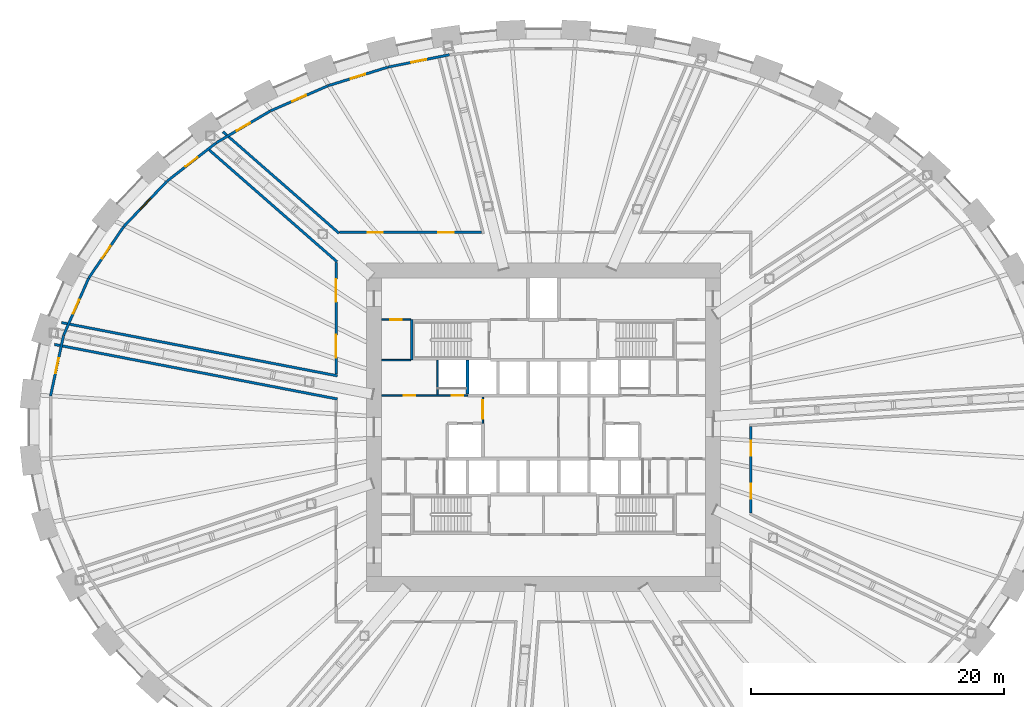
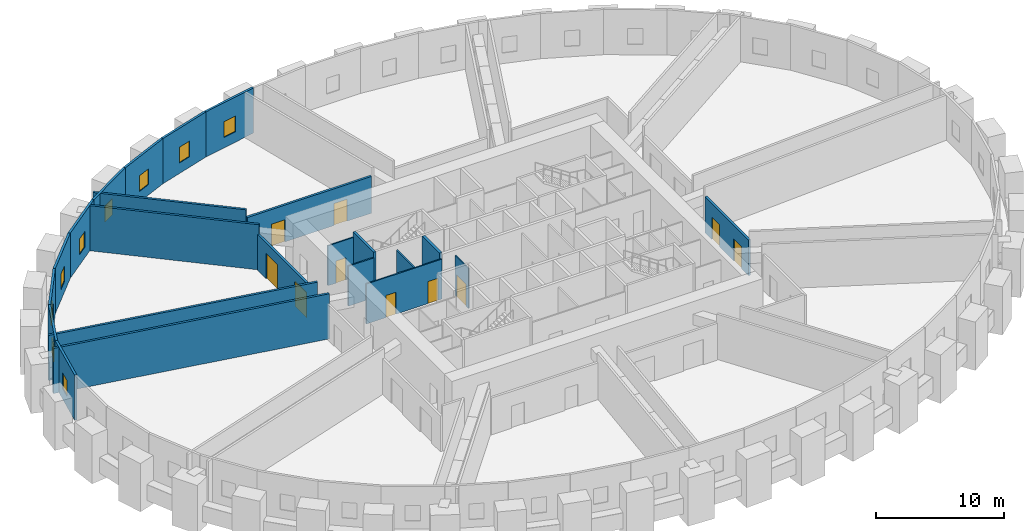
# One storey, part 10 of 14: 23 walls, 10 doors, 9 windows, 19 openings.
"""IFC4 building model written with IfcOpenShell, lengths in metres."""

from ifc_helpers import new_model, si_unit, direction, frame, frame_2d, origin, place, context, subcontext, project, spatial, rectangle, extrude, source, transform, mapped, material, layer, layer_set, type_object, element, fill, save


model = new_model("IFC4")

# Units and contexts
model_context = context("Model", 3, precision=1e-05, world=origin(), true_north=direction((0.0, 1.0)))
body_context = subcontext(model_context, "Body", "Model", "MODEL_VIEW")
ifc_project = project(units=[si_unit("LENGTHUNIT", "METRE"), si_unit("AREAUNIT", "SQUARE_METRE"), si_unit("VOLUMEUNIT", "CUBIC_METRE"), si_unit("PLANEANGLEUNIT", "RADIAN"), si_unit("MASSUNIT", "GRAM", prefix="KILO")], contexts=[model_context])

# Site, building, storey
site_placement = place(None, origin())
site = spatial("IfcSite", under=ifc_project, at=site_placement, CompositionType="ELEMENT")
building_placement = place(site_placement, origin())
building = spatial("IfcBuilding", under=site, at=building_placement, Name="Embergate Tower", CompositionType="ELEMENT")
storey_placement = place(building_placement, frame((0.0, 0.0, 101.0)))
storey = spatial("IfcBuildingStorey", under=building, at=storey_placement, Name="L21", CompositionType="ELEMENT", Elevation=101.0)

# Wall, opening, window
ifc_material_1 = material(Name="Terracotta louvre cladding on insulated backing", Category="masonry")
ifc_layer_1 = layer(ifc_material_1, 0.199951171875)
ifc_layer_set_1 = layer_set([ifc_layer_1], Name="Terracotta louvre cladding on insulated backing")
wall_type_1 = type_object("IfcWallType", Name="Terracotta louvre wall", PredefinedType="SOLIDWALL", material=ifc_layer_set_1)
shared_shape_1 = source(origin(), body_context, "Body", "SweptSolid", [
    extrude(rectangle(XDim=4.900634765625, YDim=0.199951171875, at=frame_2d((2.4501953125, 0.0))), origin(), (0.0, 0.0, 1.0), 4.300048828125),
])
wall_1_placement = place(storey_placement, frame((-38.97998046875, 2.46875, 0.0), z_axis=(0.0, 0.0, 1.0), x_axis=(0.210331939753, 0.977630029776, 0.0)))
wall_1 = element("IfcWall", 1, at=wall_1_placement, inside=storey, type_object=wall_type_1, Name="Louvre wall 21", PredefinedType="SOLIDWALL", context=body_context, shape_type="MappedRepresentation", body=[
    mapped(shared_shape_1, transform((0.0, 0.0, 0.0))),
])
shared_shape_2 = source(origin(), body_context, "Body", "SweptSolid", [
    extrude(rectangle(XDim=1.199951171875, YDim=1.5, at=frame_2d((0.60009765625, 0.75))), frame((0.0, 0.10986328125, 0.0), z_axis=(0.0, -1.0, 0.0), x_axis=(1.0, 0.0, 0.0)), (0.0, 0.0, 1.0), 0.219970703125),
])
opening_1_placement = place(wall_1_placement, frame((1.850341796875, 0.0, 1.0)))
opening_1 = element("IfcOpeningElement", 2, at=opening_1_placement, cuts=wall_1, Name="Opening RW", PredefinedType="OPENING", context=body_context, shape_type="MappedRepresentation", body=[
    mapped(shared_shape_2, transform((0.0, 0.0, 0.0))),
])
ifc_material_2 = material(Name="Aluminium, thermally broken, triple glazed", Category="aluminium")
window_type = type_object("IfcWindowType", Name="Refuge operable window", PartitioningType="SINGLE_PANEL", PredefinedType="WINDOW", material=ifc_material_2)
shared_shape_3 = source(origin(), body_context, "Body", "SweptSolid", [
    extrude(rectangle(XDim=1.199951171875, YDim=1.5, at=frame_2d((0.60009765625, 0.75))), frame((0.0, 0.030029296875, 0.0), z_axis=(0.0, -1.0, 0.0), x_axis=(1.0, 0.0, 0.0)), (0.0, 0.0, 1.0), 0.06005859375),
])
window_1_placement = place(opening_1_placement, origin())
window_1 = element("IfcWindow", 3, at=window_1_placement, inside=storey, type_object=window_type, Name="Refuge window 21", OverallHeight=1.5, OverallWidth=1.199951171875, PartitioningType="SINGLE_PANEL", PredefinedType="WINDOW", context=body_context, shape_type="MappedRepresentation", body=[
    mapped(shared_shape_3, transform((0.0, 0.0, 0.0))),
])
fill(opening_1, window_1)

shared_shape_4 = source(origin(), body_context, "Body", "SweptSolid", [
    extrude(rectangle(XDim=4.90771484375, YDim=0.199951171875, at=frame_2d((2.453857421875, 0.0))), origin(), (0.0, 0.0, 1.0), 4.300048828125),
])
wall_2_placement = place(storey_placement, frame((-37.94287109375, 7.27880859375, 0.0), z_axis=(0.0, 0.0, 1.0), x_axis=(0.401656371432, 0.915790455993, 0.0)))
wall_2 = element("IfcWall", 4, at=wall_2_placement, inside=storey, type_object=wall_type_1, Name="Louvre wall 20", PredefinedType="SOLIDWALL", context=body_context, shape_type="MappedRepresentation", body=[
    mapped(shared_shape_4, transform((0.0, 0.0, 0.0))),
])
opening_2_placement = place(wall_2_placement, frame((1.85400390625, 0.0, 1.0)))
opening_2 = element("IfcOpeningElement", 5, at=opening_2_placement, cuts=wall_2, Name="Opening RW", PredefinedType="OPENING", context=body_context, shape_type="MappedRepresentation", body=[
    mapped(shared_shape_2, transform((0.0, 0.0, 0.0))),
])
window_2_placement = place(opening_2_placement, origin())
window_2 = element("IfcWindow", 6, at=window_2_placement, inside=storey, type_object=window_type, Name="Refuge window 20", OverallHeight=1.5, OverallWidth=1.199951171875, PartitioningType="SINGLE_PANEL", PredefinedType="WINDOW", context=body_context, shape_type="MappedRepresentation", body=[
    mapped(shared_shape_3, transform((0.0, 0.0, 0.0))),
])
fill(opening_2, window_2)

shared_shape_5 = source(origin(), body_context, "Body", "SweptSolid", [
    extrude(rectangle(XDim=4.9169921875, YDim=0.199951171875, at=frame_2d((2.45849609375, 0.0))), origin(), (0.0, 0.0, 1.0), 4.300048828125),
])
wall_3_placement = place(storey_placement, frame((-35.962158203125, 11.790771484375, 0.0), z_axis=(0.0, 0.0, 1.0), x_axis=(0.562376568436, 0.826881246174, 0.0)))
wall_3 = element("IfcWall", 7, at=wall_3_placement, inside=storey, type_object=wall_type_1, Name="Louvre wall 19", PredefinedType="SOLIDWALL", context=body_context, shape_type="MappedRepresentation", body=[
    mapped(shared_shape_5, transform((0.0, 0.0, 0.0))),
])
opening_3_placement = place(wall_3_placement, frame((1.8583984375, 0.0, 1.0)))
opening_3 = element("IfcOpeningElement", 8, at=opening_3_placement, cuts=wall_3, Name="Opening RW", PredefinedType="OPENING", context=body_context, shape_type="MappedRepresentation", body=[
    mapped(shared_shape_2, transform((0.0, 0.0, 0.0))),
])
window_3_placement = place(opening_3_placement, origin())
window_3 = element("IfcWindow", 9, at=window_3_placement, inside=storey, type_object=window_type, Name="Refuge window 19", OverallHeight=1.5, OverallWidth=1.199951171875, PartitioningType="SINGLE_PANEL", PredefinedType="WINDOW", context=body_context, shape_type="MappedRepresentation", body=[
    mapped(shared_shape_3, transform((0.0, 0.0, 0.0))),
])
fill(opening_3, window_3)

shared_shape_6 = source(origin(), body_context, "Body", "SweptSolid", [
    extrude(rectangle(XDim=4.92578125, YDim=0.199951171875, at=frame_2d((2.462890625, 0.0))), origin(), (0.0, 0.0, 1.0), 4.300048828125),
])
wall_4_placement = place(storey_placement, frame((-33.1845703125, 15.8720703125, 0.0), z_axis=(0.0, 0.0, 1.0), x_axis=(0.690130273299, 0.723685156595, 0.0)))
wall_4 = element("IfcWall", 10, at=wall_4_placement, inside=storey, type_object=wall_type_1, Name="Louvre wall 18", PredefinedType="SOLIDWALL", context=body_context, shape_type="MappedRepresentation", body=[
    mapped(shared_shape_6, transform((0.0, 0.0, 0.0))),
])
opening_4_placement = place(wall_4_placement, frame((1.86279296875, 0.0, 1.0)))
opening_4 = element("IfcOpeningElement", 11, at=opening_4_placement, cuts=wall_4, Name="Opening RW", PredefinedType="OPENING", context=body_context, shape_type="MappedRepresentation", body=[
    mapped(shared_shape_2, transform((0.0, 0.0, 0.0))),
])
window_4_placement = place(opening_4_placement, origin())
window_4 = element("IfcWindow", 12, at=window_4_placement, inside=storey, type_object=window_type, Name="Refuge window 18", OverallHeight=1.5, OverallWidth=1.199951171875, PartitioningType="SINGLE_PANEL", PredefinedType="WINDOW", context=body_context, shape_type="MappedRepresentation", body=[
    mapped(shared_shape_3, transform((0.0, 0.0, 0.0))),
])
fill(opening_4, window_4)

shared_shape_7 = source(origin(), body_context, "Body", "SweptSolid", [
    extrude(rectangle(XDim=4.93359375, YDim=0.199951171875, at=frame_2d((2.466796875, 0.0))), origin(), (0.0, 0.0, 1.0), 4.300048828125),
])
wall_5_placement = place(storey_placement, frame((-29.7705078125, 19.4501953125, 0.0), z_axis=(0.0, 0.0, 1.0), x_axis=(0.788338613529, 0.61524160329, 0.0)))
wall_5 = element("IfcWall", 13, at=wall_5_placement, inside=storey, type_object=wall_type_1, Name="Louvre wall 17", PredefinedType="SOLIDWALL", context=body_context, shape_type="MappedRepresentation", body=[
    mapped(shared_shape_7, transform((0.0, 0.0, 0.0))),
])
opening_5_placement = place(wall_5_placement, frame((1.86669921875, 0.0, 1.0)))
opening_5 = element("IfcOpeningElement", 14, at=opening_5_placement, cuts=wall_5, Name="Opening RW", PredefinedType="OPENING", context=body_context, shape_type="MappedRepresentation", body=[
    mapped(shared_shape_2, transform((0.0, 0.0, 0.0))),
])
window_5_placement = place(opening_5_placement, origin())
window_5 = element("IfcWindow", 15, at=window_5_placement, inside=storey, type_object=window_type, Name="Refuge window 17", OverallHeight=1.5, OverallWidth=1.199951171875, PartitioningType="SINGLE_PANEL", PredefinedType="WINDOW", context=body_context, shape_type="MappedRepresentation", body=[
    mapped(shared_shape_3, transform((0.0, 0.0, 0.0))),
])
fill(opening_5, window_5)

shared_shape_8 = source(origin(), body_context, "Body", "SweptSolid", [
    extrude(rectangle(XDim=4.939697265625, YDim=0.199951171875, at=frame_2d((2.4697265625, 0.0))), origin(), (0.0, 0.0, 1.0), 4.300048828125),
])
wall_6_placement = place(storey_placement, frame((-25.86474609375, 22.496826171875, 0.0), z_axis=(0.0, 0.0, 1.0), x_axis=(0.862042190087, 0.506836524443, 0.0)))
wall_6 = element("IfcWall", 16, at=wall_6_placement, inside=storey, type_object=wall_type_1, Name="Louvre wall 16", PredefinedType="SOLIDWALL", context=body_context, shape_type="MappedRepresentation", body=[
    mapped(shared_shape_8, transform((0.0, 0.0, 0.0))),
])
opening_6_placement = place(wall_6_placement, frame((1.869873046875, 0.0, 1.0)))
opening_6 = element("IfcOpeningElement", 17, at=opening_6_placement, cuts=wall_6, Name="Opening RW", PredefinedType="OPENING", context=body_context, shape_type="MappedRepresentation", body=[
    mapped(shared_shape_2, transform((0.0, 0.0, 0.0))),
])
window_6_placement = place(opening_6_placement, origin())
window_6 = element("IfcWindow", 18, at=window_6_placement, inside=storey, type_object=window_type, Name="Refuge window 16", OverallHeight=1.5, OverallWidth=1.199951171875, PartitioningType="SINGLE_PANEL", PredefinedType="WINDOW", context=body_context, shape_type="MappedRepresentation", body=[
    mapped(shared_shape_3, transform((0.0, 0.0, 0.0))),
])
fill(opening_6, window_6)

shared_shape_9 = source(origin(), body_context, "Body", "SweptSolid", [
    extrude(rectangle(XDim=4.9443359375, YDim=0.199951171875, at=frame_2d((2.47216796875, 0.0))), origin(), (0.0, 0.0, 1.0), 4.300048828125),
])
wall_7_placement = place(storey_placement, frame((-21.588623046875, 25.009521484375, 0.0), z_axis=(0.0, 0.0, 1.0), x_axis=(0.916226451808, 0.400660815412, 0.0)))
wall_7 = element("IfcWall", 19, at=wall_7_placement, inside=storey, type_object=wall_type_1, Name="Louvre wall 15", PredefinedType="SOLIDWALL", context=body_context, shape_type="MappedRepresentation", body=[
    mapped(shared_shape_9, transform((0.0, 0.0, 0.0))),
])
opening_7_placement = place(wall_7_placement, frame((1.872314453125, 0.0, 1.0)))
opening_7 = element("IfcOpeningElement", 20, at=opening_7_placement, cuts=wall_7, Name="Opening RW", PredefinedType="OPENING", context=body_context, shape_type="MappedRepresentation", body=[
    mapped(shared_shape_2, transform((0.0, 0.0, 0.0))),
])
window_7_placement = place(opening_7_placement, origin())
window_7 = element("IfcWindow", 21, at=window_7_placement, inside=storey, type_object=window_type, Name="Refuge window 15", OverallHeight=1.5, OverallWidth=1.199951171875, PartitioningType="SINGLE_PANEL", PredefinedType="WINDOW", context=body_context, shape_type="MappedRepresentation", body=[
    mapped(shared_shape_3, transform((0.0, 0.0, 0.0))),
])
fill(opening_7, window_7)

shared_shape_10 = source(origin(), body_context, "Body", "SweptSolid", [
    extrude(rectangle(XDim=4.94775390625, YDim=0.199951171875, at=frame_2d((2.473876953125, 0.0))), origin(), (0.0, 0.0, 1.0), 4.300048828125),
])
wall_8_placement = place(storey_placement, frame((-17.039794921875, 26.99755859375, 0.0), z_axis=(0.0, 0.0, 1.0), x_axis=(0.954768398197, 0.297350476383, 0.0)))
wall_8 = element("IfcWall", 22, at=wall_8_placement, inside=storey, type_object=wall_type_1, Name="Louvre wall 14", PredefinedType="SOLIDWALL", context=body_context, shape_type="MappedRepresentation", body=[
    mapped(shared_shape_10, transform((0.0, 0.0, 0.0))),
])
opening_8_placement = place(wall_8_placement, frame((1.873779296875, 0.0, 1.0)))
opening_8 = element("IfcOpeningElement", 23, at=opening_8_placement, cuts=wall_8, Name="Opening RW", PredefinedType="OPENING", context=body_context, shape_type="MappedRepresentation", body=[
    mapped(shared_shape_2, transform((0.0, 0.0, 0.0))),
])
window_8_placement = place(opening_8_placement, origin())
window_8 = element("IfcWindow", 24, at=window_8_placement, inside=storey, type_object=window_type, Name="Refuge window 14", OverallHeight=1.5, OverallWidth=1.199951171875, PartitioningType="SINGLE_PANEL", PredefinedType="WINDOW", context=body_context, shape_type="MappedRepresentation", body=[
    mapped(shared_shape_3, transform((0.0, 0.0, 0.0))),
])
fill(opening_8, window_8)

shared_shape_11 = source(origin(), body_context, "Body", "SweptSolid", [
    extrude(rectangle(XDim=4.949951171875, YDim=0.199951171875, at=frame_2d((2.47509765625, 0.0))), origin(), (0.0, 0.0, 1.0), 4.300048828125),
])
wall_9_placement = place(storey_placement, frame((-12.29638671875, 28.4736328125, 0.0), z_axis=(0.0, 0.0, 1.0), x_axis=(0.980474299586, 0.196647267591, 0.0)))
wall_9 = element("IfcWall", 25, at=wall_9_placement, inside=storey, type_object=wall_type_1, Name="Louvre wall 13", PredefinedType="SOLIDWALL", context=body_context, shape_type="MappedRepresentation", body=[
    mapped(shared_shape_11, transform((0.0, 0.0, 0.0))),
])
opening_9_placement = place(wall_9_placement, frame((1.875, 0.0, 1.0)))
opening_9 = element("IfcOpeningElement", 26, at=opening_9_placement, cuts=wall_9, Name="Opening RW", PredefinedType="OPENING", context=body_context, shape_type="MappedRepresentation", body=[
    mapped(shared_shape_2, transform((0.0, 0.0, 0.0))),
])
window_9_placement = place(opening_9_placement, origin())
window_9 = element("IfcWindow", 27, at=window_9_placement, inside=storey, type_object=window_type, Name="Refuge window 13", OverallHeight=1.5, OverallWidth=1.199951171875, PartitioningType="SINGLE_PANEL", PredefinedType="WINDOW", context=body_context, shape_type="MappedRepresentation", body=[
    mapped(shared_shape_3, transform((0.0, 0.0, 0.0))),
])
fill(opening_9, window_9)

# Walls
ifc_material_3 = material(Name="Concrete C50", Category="concrete")
ifc_layer_2 = layer(ifc_material_3, 0.25)
ifc_layer_set_2 = layer_set([ifc_layer_2], Name="Concrete C50")
wall_type_2 = type_object("IfcWallType", Name="Hoistway wall reinforced concrete 250", PredefinedType="SHEAR", material=ifc_layer_set_2)
shared_shape_12 = source(origin(), body_context, "Body", "SweptSolid", [
    extrude(rectangle(XDim=2.675048828125, YDim=0.25, at=frame_2d((1.33740234375, 0.0))), origin(), (0.0, 0.0, 1.0), 4.300048828125),
])
wall_10_placement = place(storey_placement, frame((-6.0, 2.625, 0.0), z_axis=(0.0, 0.0, 1.0), x_axis=(0.0, 1.0, 0.0)))
element("IfcWall", 28, at=wall_10_placement, inside=storey, type_object=wall_type_2, Name="HW-1 wall", PredefinedType="SHEAR", context=body_context, shape_type="MappedRepresentation", body=[
    mapped(shared_shape_12, transform((0.0, 0.0, 0.0))),
])
ifc_layer_3 = layer(ifc_material_3, 0.199951171875)
ifc_layer_set_3 = layer_set([ifc_layer_3], Name="Concrete C50")
wall_type_3 = type_object("IfcWallType", Name="Stair enclosure wall reinforced concrete 250", PredefinedType="SHEAR", material=ifc_layer_set_3)
shared_shape_13 = source(origin(), body_context, "Body", "SweptSolid", [
    extrude(rectangle(XDim=3.199951171875, YDim=0.199951171875, at=frame_2d((1.60009765625, 0.0))), origin(), (0.0, 0.0, 1.0), 4.300048828125),
])
wall_11_placement = place(storey_placement, frame((-10.39990234375, 8.5, 0.0), z_axis=(0.0, 0.0, 1.0), x_axis=(0.0, -1.0, 0.0)))
element("IfcWall", 29, at=wall_11_placement, inside=storey, type_object=wall_type_3, Name="SE-1 wall", PredefinedType="SHEAR", context=body_context, shape_type="MappedRepresentation", body=[
    mapped(shared_shape_13, transform((0.0, 0.0, 0.0))),
])

# Wall, openings, doors
ifc_material_4 = material(Name="Core partition blockwork 120")
ifc_layer_4 = layer(ifc_material_4, 0.1201171875)
ifc_layer_set_4 = layer_set([ifc_layer_4], Name="Core partition blockwork 120")
wall_type_4 = type_object("IfcWallType", Name="Core partition blockwork 120", PredefinedType="PARTITIONING", material=ifc_layer_set_4)
shared_shape_14 = source(origin(), body_context, "Body", "SweptSolid", [
    extrude(rectangle(XDim=6.800048828125, YDim=0.1201171875, at=frame_2d((3.39990234375, 0.0))), origin(), (0.0, 0.0, 1.0), 3.800048828125),
])
wall_12_placement = place(storey_placement, frame((-12.800048828125, 2.5, 0.0), z_axis=(0.0, 0.0, 1.0), x_axis=(1.0, 0.0, 0.0)))
wall_12 = element("IfcWall", 30, at=wall_12_placement, inside=storey, type_object=wall_type_4, Name="IP-3 wall", PredefinedType="PARTITIONING", context=body_context, shape_type="MappedRepresentation", body=[
    mapped(shared_shape_14, transform((0.0, 0.0, 0.0))),
])
shared_shape_15 = source(origin(), body_context, "Body", "SweptSolid", [
    extrude(rectangle(XDim=0.89990234375, YDim=2.10009765625, at=frame_2d((0.449951171875, 1.050048828125))), frame((0.0, 0.070068359375, 0.0), z_axis=(0.0, -1.0, 0.0), x_axis=(1.0, 0.0, 0.0)), (0.0, 0.0, 1.0), 0.14013671875),
])
opening_10_placement = place(wall_12_placement, frame((5.550048828125, 0.0, 0.0)))
opening_10 = element("IfcOpeningElement", 31, at=opening_10_placement, cuts=wall_12, Name="Opening ID-1", PredefinedType="OPENING", context=body_context, shape_type="MappedRepresentation", body=[
    mapped(shared_shape_15, transform((0.0, 0.0, 0.0))),
])
opening_11_placement = place(wall_12_placement, frame((1.75, 0.0, 0.0)))
opening_11 = element("IfcOpeningElement", 32, at=opening_11_placement, cuts=wall_12, Name="Opening ID-1", PredefinedType="OPENING", context=body_context, shape_type="MappedRepresentation", body=[
    mapped(shared_shape_15, transform((0.0, 0.0, 0.0))),
])
ifc_material_5 = material(Name="Interior door 900")
door_type_1 = type_object("IfcDoorType", Name="Interior door 900", OperationType="SINGLE_SWING_LEFT", PredefinedType="DOOR", material=ifc_material_5)
shared_shape_16 = source(origin(), body_context, "Body", "SweptSolid", [
    extrude(rectangle(XDim=0.89990234375, YDim=2.10009765625, at=frame_2d((0.449951171875, 1.050048828125))), frame((0.0, 0.02490234375, 0.0), z_axis=(0.0, -1.0, 0.0), x_axis=(1.0, 0.0, 0.0)), (0.0, 0.0, 1.0), 0.050048828125),
])
door_1_placement = place(opening_10_placement, origin())
door_1 = element("IfcDoor", 33, at=door_1_placement, inside=storey, type_object=door_type_1, Name="ID-1 door", OperationType="SINGLE_SWING_RIGHT", OverallHeight=2.10009765625, OverallWidth=0.89990234375, PredefinedType="DOOR", context=body_context, shape_type="MappedRepresentation", body=[
    mapped(shared_shape_16, transform((0.0, 0.0, 0.0))),
])
fill(opening_10, door_1)
door_2_placement = place(opening_11_placement, origin())
door_2 = element("IfcDoor", 34, at=door_2_placement, inside=storey, type_object=door_type_1, Name="ID-1 door", OperationType="SINGLE_SWING_LEFT", OverallHeight=2.10009765625, OverallWidth=0.89990234375, PredefinedType="DOOR", context=body_context, shape_type="MappedRepresentation", body=[
    mapped(shared_shape_16, transform((0.0, 0.0, 0.0))),
])
fill(opening_11, door_2)

# Wall
shared_shape_17 = source(origin(), body_context, "Body", "SweptSolid", [
    extrude(rectangle(XDim=2.739990234375, YDim=0.1201171875, at=frame_2d((1.3701171875, 0.0))), origin(), (0.0, 0.0, 1.0), 3.800048828125),
])
wall_13_placement = place(storey_placement, frame((-8.39990234375, 5.300048828125, 0.0), z_axis=(0.0, 0.0, 1.0), x_axis=(0.0, -1.0, 0.0)))
element("IfcWall", 35, at=wall_13_placement, inside=storey, type_object=wall_type_4, Name="IP-3 wall", PredefinedType="PARTITIONING", context=body_context, shape_type="MappedRepresentation", body=[
    mapped(shared_shape_17, transform((0.0, 0.0, 0.0))),
])

# Wall, opening, door
shared_shape_18 = source(origin(), body_context, "Body", "SweptSolid", [
    extrude(rectangle(XDim=2.074951171875, YDim=0.1201171875, at=frame_2d((1.03759765625, 0.0))), origin(), (0.0, 0.0, 1.0), 3.800048828125),
])
wall_14_placement = place(storey_placement, frame((-4.800048828125, 2.375, 0.0), z_axis=(0.0, 0.0, 1.0), x_axis=(0.0, -1.0, 0.0)))
wall_14 = element("IfcWall", 36, at=wall_14_placement, inside=storey, type_object=wall_type_4, Name="IP-3 wall", PredefinedType="PARTITIONING", context=body_context, shape_type="MappedRepresentation", body=[
    mapped(shared_shape_18, transform((0.0, 0.0, 0.0))),
])
shared_shape_19 = source(origin(), body_context, "Body", "SweptSolid", [
    extrude(rectangle(XDim=1.5, YDim=2.10009765625, at=frame_2d((0.75, 1.050048828125))), frame((0.0, 0.070068359375, 0.0), z_axis=(0.0, -1.0, 0.0), x_axis=(1.0, 0.0, 0.0)), (0.0, 0.0, 1.0), 0.14013671875),
])
opening_12_placement = place(wall_14_placement, frame((0.22509765625, 0.0, 0.0)))
opening_12 = element("IfcOpeningElement", 37, at=opening_12_placement, cuts=wall_14, Name="Opening IF-3", PredefinedType="OPENING", context=body_context, shape_type="MappedRepresentation", body=[
    mapped(shared_shape_19, transform((0.0, 0.0, 0.0))),
])
ifc_material_6 = material(Name="Lobby fire door pair 1500")
door_type_2 = type_object("IfcDoorType", Name="Lobby fire door pair 1500", OperationType="DOUBLE_DOOR_SINGLE_SWING", PredefinedType="DOOR", material=ifc_material_6)
shared_shape_20 = source(origin(), body_context, "Body", "SweptSolid", [
    extrude(rectangle(XDim=1.5, YDim=2.10009765625, at=frame_2d((0.75, 1.050048828125))), frame((0.0, 0.02490234375, 0.0), z_axis=(0.0, -1.0, 0.0), x_axis=(1.0, 0.0, 0.0)), (0.0, 0.0, 1.0), 0.050048828125),
])
door_3_placement = place(opening_12_placement, origin())
door_3 = element("IfcDoor", 38, at=door_3_placement, inside=storey, type_object=door_type_2, Name="IF-3 door", OperationType="DOUBLE_DOOR_SINGLE_SWING", OverallHeight=2.10009765625, OverallWidth=1.5, PredefinedType="DOOR", context=body_context, shape_type="MappedRepresentation", body=[
    mapped(shared_shape_20, transform((0.0, 0.0, 0.0))),
])
fill(opening_12, door_3)

shared_shape_21 = source(origin(), body_context, "Body", "SweptSolid", [
    extrude(rectangle(XDim=2.300048828125, YDim=0.1201171875, at=frame_2d((1.14990234375, 0.0))), origin(), (0.0, 0.0, 1.0), 3.800048828125),
])
wall_15_placement = place(storey_placement, frame((-12.800048828125, 8.5, 0.0), z_axis=(0.0, 0.0, 1.0), x_axis=(1.0, 0.0, 0.0)))
wall_15 = element("IfcWall", 39, at=wall_15_placement, inside=storey, type_object=wall_type_4, Name="IP-3 wall", PredefinedType="PARTITIONING", context=body_context, shape_type="MappedRepresentation", body=[
    mapped(shared_shape_21, transform((0.0, 0.0, 0.0))),
])
opening_13_placement = place(wall_15_placement, frame((0.699951171875, 0.0, 0.0)))
opening_13 = element("IfcOpeningElement", 40, at=opening_13_placement, cuts=wall_15, Name="Opening ID-1", PredefinedType="OPENING", context=body_context, shape_type="MappedRepresentation", body=[
    mapped(shared_shape_15, transform((0.0, 0.0, 0.0))),
])
door_4_placement = place(opening_13_placement, origin())
door_4 = element("IfcDoor", 41, at=door_4_placement, inside=storey, type_object=door_type_1, Name="ID-1 door", OperationType="SINGLE_SWING_LEFT", OverallHeight=2.10009765625, OverallWidth=0.89990234375, PredefinedType="DOOR", context=body_context, shape_type="MappedRepresentation", body=[
    mapped(shared_shape_16, transform((0.0, 0.0, 0.0))),
])
fill(opening_13, door_4)

# Walls
wall_16_placement = place(storey_placement, frame((-10.5, 5.300048828125, 0.0), z_axis=(0.0, 0.0, 1.0), x_axis=(-1.0, 0.0, 0.0)))
element("IfcWall", 42, at=wall_16_placement, inside=storey, type_object=wall_type_4, Name="IP-3 wall", PredefinedType="PARTITIONING", context=body_context, shape_type="MappedRepresentation", body=[
    mapped(shared_shape_21, transform((0.0, 0.0, 0.0))),
])
ifc_material_7 = material(Name="Blockwork, plastered", Category="masonry")
ifc_layer_5 = layer(ifc_material_7, 0.199951171875)
ifc_layer_set_5 = layer_set([ifc_layer_5], Name="Blockwork, plastered")
wall_type_5 = type_object("IfcWallType", Name="Fire partition wall 200 block", PredefinedType="PARTITIONING", material=ifc_layer_set_5)
shared_shape_22 = source(origin(), body_context, "Body", "SweptSolid", [
    extrude(rectangle(XDim=22.78369140625, YDim=0.199951171875, at=frame_2d((11.391845703125, 0.0))), origin(), (0.0, 0.0, 1.0), 4.300048828125),
])
wall_17_placement = place(storey_placement, frame((-38.673095703125, 6.5439453125, 0.0), z_axis=(0.0, 0.0, 1.0), x_axis=(0.981894072972, -0.189430803889, 0.0)))
element("IfcWall", 43, at=wall_17_placement, inside=storey, type_object=wall_type_5, Name="Partition 001", PredefinedType="PARTITIONING", context=body_context, shape_type="MappedRepresentation", body=[
    mapped(shared_shape_22, transform((0.0, 0.0, 0.0))),
])
shared_shape_23 = source(origin(), body_context, "Body", "SweptSolid", [
    extrude(rectangle(XDim=13.4296875, YDim=0.199951171875, at=frame_2d((6.71484375, 0.0))), origin(), (0.0, 0.0, 1.0), 4.300048828125),
])
wall_18_placement = place(storey_placement, frame((-26.43408203125, 21.922119140625, 0.0), z_axis=(0.0, 0.0, 1.0), x_axis=(0.752739961274, -0.658317970817, 0.0)))
element("IfcWall", 44, at=wall_18_placement, inside=storey, type_object=wall_type_5, Name="Partition 003", PredefinedType="PARTITIONING", context=body_context, shape_type="MappedRepresentation", body=[
    mapped(shared_shape_23, transform((0.0, 0.0, 0.0))),
])
shared_shape_24 = source(origin(), body_context, "Body", "SweptSolid", [
    extrude(rectangle(XDim=22.208740234375, YDim=0.199951171875, at=frame_2d((11.1044921875, 0.0))), origin(), (0.0, 0.0, 1.0), 4.300048828125),
])
wall_19_placement = place(storey_placement, frame((-16.302001953125, 4.06201171875, 0.0), z_axis=(0.0, 0.0, 1.0), x_axis=(-0.981902563507, 0.189386788819, 0.0)))
element("IfcWall", 45, at=wall_19_placement, inside=storey, type_object=wall_type_5, Name="Partition 008", PredefinedType="PARTITIONING", context=body_context, shape_type="MappedRepresentation", body=[
    mapped(shared_shape_24, transform((0.0, 0.0, 0.0))),
])

# Wall, openings, doors
shared_shape_25 = source(origin(), body_context, "Body", "SweptSolid", [
    extrude(rectangle(XDim=8.826171875, YDim=0.199951171875, at=frame_2d((4.4130859375, 0.0))), origin(), (0.0, 0.0, 1.0), 3.39990234375),
])
wall_20_placement = place(storey_placement, frame((-16.39990234375, 4.19091796875, 0.0), z_axis=(0.0, 0.0, 1.0), x_axis=(0.0, 1.0, 0.0)))
wall_20 = element("IfcWall", 46, at=wall_20_placement, inside=storey, type_object=wall_type_5, Name="Partition 009", PredefinedType="PARTITIONING", context=body_context, shape_type="MappedRepresentation", body=[
    mapped(shared_shape_25, transform((0.0, 0.0, 0.0))),
])
shared_shape_26 = source(origin(), body_context, "Body", "SweptSolid", [
    extrude(rectangle(XDim=1.800048828125, YDim=2.39990234375, at=frame_2d((0.89990234375, 1.199951171875))), frame((0.0, 0.10986328125, 0.0), z_axis=(0.0, -1.0, 0.0), x_axis=(1.0, 0.0, 0.0)), (0.0, 0.0, 1.0), 0.219970703125),
])
opening_14_placement = place(wall_20_placement, frame((1.306884765625, 0.0, 0.0)))
opening_14 = element("IfcOpeningElement", 47, at=opening_14_placement, cuts=wall_20, Name="Opening DS-163", PredefinedType="OPENING", context=body_context, shape_type="MappedRepresentation", body=[
    mapped(shared_shape_26, transform((0.0, 0.0, 0.0))),
])
opening_15_placement = place(wall_20_placement, frame((5.719970703125, 0.0, 0.0)))
opening_15 = element("IfcOpeningElement", 48, at=opening_15_placement, cuts=wall_20, Name="Opening DS-164", PredefinedType="OPENING", context=body_context, shape_type="MappedRepresentation", body=[
    mapped(shared_shape_26, transform((0.0, 0.0, 0.0))),
])
ifc_material_8 = material(Name="Timber door leaf, steel frame", Category="steel")
door_type_3 = type_object("IfcDoorType", Name="Double door 1800x2400", OperationType="DOUBLE_DOOR_SINGLE_SWING", PredefinedType="DOOR", material=ifc_material_8)
shared_shape_27 = source(origin(), body_context, "Body", "SweptSolid", [
    extrude(rectangle(XDim=1.800048828125, YDim=2.39990234375, at=frame_2d((0.89990234375, 1.199951171875))), frame((0.0, 0.02490234375, 0.0), z_axis=(0.0, -1.0, 0.0), x_axis=(1.0, 0.0, 0.0)), (0.0, 0.0, 1.0), 0.050048828125),
])
door_5_placement = place(opening_14_placement, origin())
door_5 = element("IfcDoor", 49, at=door_5_placement, inside=storey, type_object=door_type_3, Name="Door to Refuge area", OperationType="SINGLE_SWING_LEFT", OverallHeight=2.39990234375, OverallWidth=1.800048828125, PredefinedType="DOOR", context=body_context, shape_type="MappedRepresentation", body=[
    mapped(shared_shape_27, transform((0.0, 0.0, 0.0))),
])
fill(opening_14, door_5)
door_6_placement = place(opening_15_placement, origin())
door_6 = element("IfcDoor", 50, at=door_6_placement, inside=storey, type_object=door_type_3, Name="Door to Refuge area", OperationType="SINGLE_SWING_LEFT", OverallHeight=2.39990234375, OverallWidth=1.800048828125, PredefinedType="DOOR", context=body_context, shape_type="MappedRepresentation", body=[
    mapped(shared_shape_27, transform((0.0, 0.0, 0.0))),
])
fill(opening_15, door_6)

# Wall
shared_shape_28 = source(origin(), body_context, "Body", "SweptSolid", [
    extrude(rectangle(XDim=12.18798828125, YDim=0.199951171875, at=frame_2d((6.093994140625, 0.0))), origin(), (0.0, 0.0, 1.0), 4.300048828125),
])
wall_21_placement = place(storey_placement, frame((-16.1689453125, 15.333984375, 0.0), z_axis=(0.0, 0.0, 1.0), x_axis=(-0.752714415271, 0.658347179719, 0.0)))
element("IfcWall", 51, at=wall_21_placement, inside=storey, type_object=wall_type_5, Name="Partition 010", PredefinedType="PARTITIONING", context=body_context, shape_type="MappedRepresentation", body=[
    mapped(shared_shape_28, transform((0.0, 0.0, 0.0))),
])

# Wall, openings, doors
shared_shape_29 = source(origin(), body_context, "Body", "SweptSolid", [
    extrude(rectangle(XDim=11.2099609375, YDim=0.199951171875, at=frame_2d((5.60498046875, 0.0))), origin(), (0.0, 0.0, 1.0), 3.5),
])
wall_22_placement = place(storey_placement, frame((-16.114013671875, 15.39990234375, 0.0), z_axis=(0.0, 0.0, 1.0), x_axis=(1.0, 0.0, 0.0)))
wall_22 = element("IfcWall", 52, at=wall_22_placement, inside=storey, type_object=wall_type_5, Name="Partition 011", PredefinedType="PARTITIONING", context=body_context, shape_type="MappedRepresentation", body=[
    mapped(shared_shape_29, transform((0.0, 0.0, 0.0))),
])
shared_shape_30 = source(origin(), body_context, "Body", "SweptSolid", [
    extrude(rectangle(XDim=1.199951171875, YDim=2.10009765625, at=frame_2d((0.60009765625, 1.050048828125))), frame((0.0, 0.10986328125, 0.0), z_axis=(0.0, -1.0, 0.0), x_axis=(1.0, 0.0, 0.0)), (0.0, 0.0, 1.0), 0.219970703125),
])
opening_16_placement = place(wall_22_placement, frame((2.202880859375, 0.0, 0.0)))
opening_16 = element("IfcOpeningElement", 53, at=opening_16_placement, cuts=wall_22, Name="Opening DS-161", PredefinedType="OPENING", context=body_context, shape_type="MappedRepresentation", body=[
    mapped(shared_shape_30, transform((0.0, 0.0, 0.0))),
])
opening_17_placement = place(wall_22_placement, frame((7.80810546875, 0.0, 0.0)))
opening_17 = element("IfcOpeningElement", 54, at=opening_17_placement, cuts=wall_22, Name="Opening DS-162", PredefinedType="OPENING", context=body_context, shape_type="MappedRepresentation", body=[
    mapped(shared_shape_30, transform((0.0, 0.0, 0.0))),
])
door_type_4 = type_object("IfcDoorType", Name="Plant door 1200x2100", OperationType="SINGLE_SWING_LEFT", PredefinedType="DOOR", material=ifc_material_8)
shared_shape_31 = source(origin(), body_context, "Body", "SweptSolid", [
    extrude(rectangle(XDim=1.199951171875, YDim=2.10009765625, at=frame_2d((0.60009765625, 1.050048828125))), frame((0.0, 0.02490234375, 0.0), z_axis=(0.0, -1.0, 0.0), x_axis=(1.0, 0.0, 0.0)), (0.0, 0.0, 1.0), 0.050048828125),
])
door_7_placement = place(opening_16_placement, origin())
door_7 = element("IfcDoor", 55, at=door_7_placement, inside=storey, type_object=door_type_4, Name="Door to Chiller plant", OperationType="SINGLE_SWING_LEFT", OverallHeight=2.10009765625, OverallWidth=1.199951171875, PredefinedType="DOOR", context=body_context, shape_type="MappedRepresentation", body=[
    mapped(shared_shape_31, transform((0.0, 0.0, 0.0))),
])
fill(opening_16, door_7)
door_8_placement = place(opening_17_placement, origin())
door_8 = element("IfcDoor", 56, at=door_8_placement, inside=storey, type_object=door_type_4, Name="Door to Chiller plant", OperationType="SINGLE_SWING_LEFT", OverallHeight=2.10009765625, OverallWidth=1.199951171875, PredefinedType="DOOR", context=body_context, shape_type="MappedRepresentation", body=[
    mapped(shared_shape_31, transform((0.0, 0.0, 0.0))),
])
fill(opening_17, door_8)

shared_shape_32 = source(origin(), body_context, "Body", "SweptSolid", [
    extrude(rectangle(XDim=6.81103515625, YDim=0.199951171875, at=frame_2d((3.405517578125, 0.0))), origin(), (0.0, 0.0, 1.0), 3.39990234375),
])
wall_23_placement = place(storey_placement, frame((16.39990234375, 0.0400390625, 0.0), z_axis=(0.0, 0.0, 1.0), x_axis=(0.0, -1.0, 0.0)))
wall_23 = element("IfcWall", 57, at=wall_23_placement, inside=storey, type_object=wall_type_5, Name="Partition 028", PredefinedType="PARTITIONING", context=body_context, shape_type="MappedRepresentation", body=[
    mapped(shared_shape_32, transform((0.0, 0.0, 0.0))),
])
opening_18_placement = place(wall_23_placement, frame((1.10302734375, 0.0, 0.0)))
opening_18 = element("IfcOpeningElement", 58, at=opening_18_placement, cuts=wall_23, Name="Opening DS-175", PredefinedType="OPENING", context=body_context, shape_type="MappedRepresentation", body=[
    mapped(shared_shape_30, transform((0.0, 0.0, 0.0))),
])
opening_19_placement = place(wall_23_placement, frame((4.508056640625, 0.0, 0.0)))
opening_19 = element("IfcOpeningElement", 59, at=opening_19_placement, cuts=wall_23, Name="Opening DS-176", PredefinedType="OPENING", context=body_context, shape_type="MappedRepresentation", body=[
    mapped(shared_shape_30, transform((0.0, 0.0, 0.0))),
])
door_9_placement = place(opening_18_placement, origin())
door_9 = element("IfcDoor", 60, at=door_9_placement, inside=storey, type_object=door_type_4, Name="Door to Pump plant room", OperationType="SINGLE_SWING_LEFT", OverallHeight=2.10009765625, OverallWidth=1.199951171875, PredefinedType="DOOR", context=body_context, shape_type="MappedRepresentation", body=[
    mapped(shared_shape_31, transform((0.0, 0.0, 0.0))),
])
fill(opening_18, door_9)
door_10_placement = place(opening_19_placement, origin())
door_10 = element("IfcDoor", 61, at=door_10_placement, inside=storey, type_object=door_type_4, Name="Door to Pump plant room", OperationType="SINGLE_SWING_LEFT", OverallHeight=2.10009765625, OverallWidth=1.199951171875, PredefinedType="DOOR", context=body_context, shape_type="MappedRepresentation", body=[
    mapped(shared_shape_31, transform((0.0, 0.0, 0.0))),
])
fill(opening_19, door_10)

save(model, "model.ifc")
